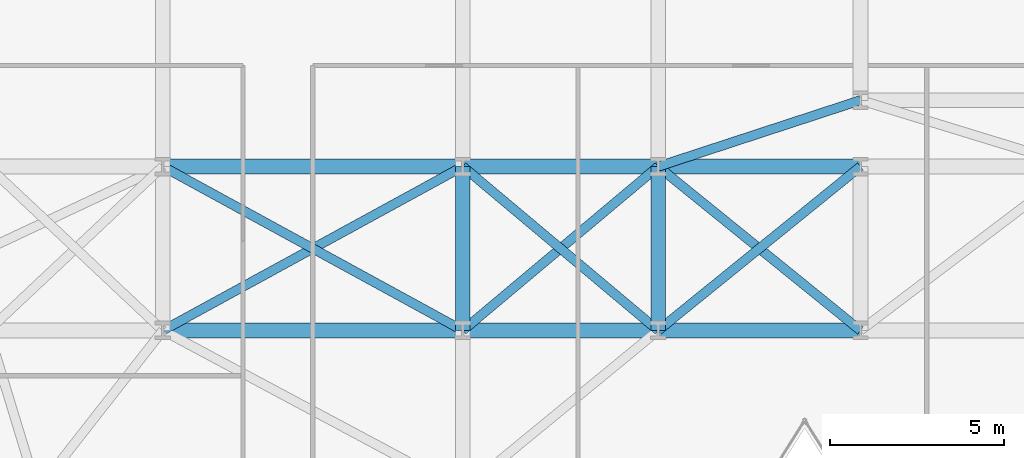
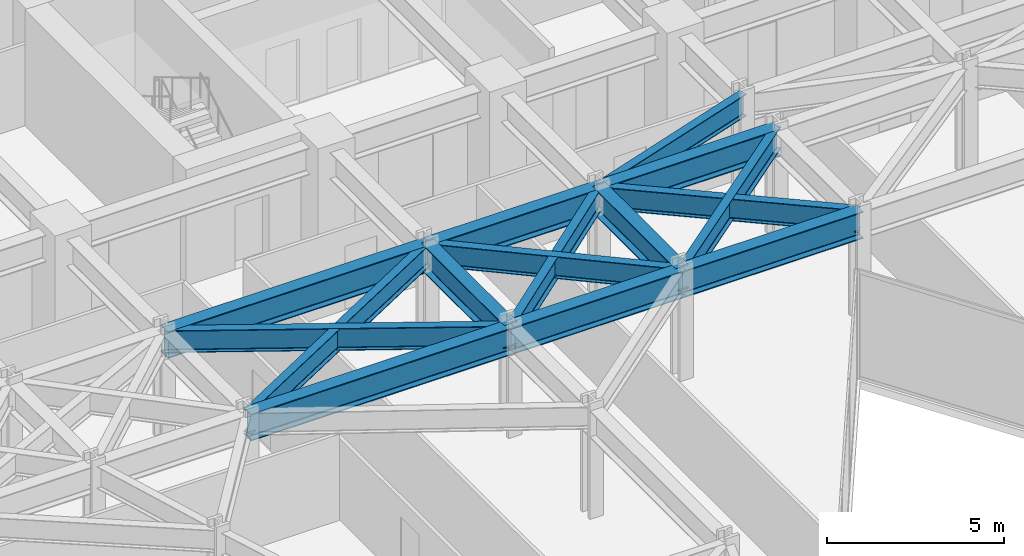
# One storey, part 11 of 24: 15 beams.
"""IFC4 building model written with IfcOpenShell, lengths in metres."""

from ifc_helpers import new_model, si_unit, direction, frame, origin, origin_2d, place, context, subcontext, project, spatial, i_section, extrude, material, material_profile, profile_set, type_object, element, save


model = new_model("IFC4")

# Units and contexts
model_context = context("Model", 3, precision=1e-05, world=origin(), true_north=direction((0.0, 1.0)))
body_context = subcontext(model_context, "Body", "Model", "MODEL_VIEW")
ifc_project = project(units=[si_unit("LENGTHUNIT", "METRE"), si_unit("AREAUNIT", "SQUARE_METRE"), si_unit("VOLUMEUNIT", "CUBIC_METRE"), si_unit("PLANEANGLEUNIT", "RADIAN"), si_unit("MASSUNIT", "GRAM", prefix="KILO")], contexts=[model_context])

# Site, building, storey
site_placement = place(None, origin())
site = spatial("IfcSite", under=ifc_project, at=site_placement, CompositionType="ELEMENT")
building_placement = place(site_placement, origin())
building = spatial("IfcBuilding", under=site, at=building_placement, Name="Kravanh Interchange Tower", CompositionType="ELEMENT")
storey_placement = place(building_placement, frame((0.0, 0.0, 53.5)))
storey = spatial("IfcBuildingStorey", under=building, at=storey_placement, Name="L12", CompositionType="ELEMENT", Elevation=53.5)

# Beams
ifc_material_1 = material(Name="Structural Steel S355", Category="steel")
ifc_material_profile_1 = material_profile(ifc_material_1, i_section(OverallWidth=0.41796875, OverallDepth=0.927001953125, WebThickness=0.019287109375, FlangeThickness=0.031982421875, FilletRadius=0.028076171875, at=origin_2d()), Name="W36X231")
ifc_profile_set_1 = profile_set([ifc_material_profile_1], Name="Structural Steel S355")
beam_type_1 = type_object("IfcBeamType", Name="Floor Beam W36X231 Structural Steel S355", PredefinedType="BEAM", material=ifc_profile_set_1)
beam_1_placement = place(storey_placement, frame((18.60009765625, 26.800048828125, 3.276611328125), z_axis=(1.0, 0.0, 0.0), x_axis=(0.0, 1.0, 0.0)))
element("IfcBeam", 1, at=beam_1_placement, inside=storey, type_object=beam_type_1, Name="L12 Primary Floor Girder 76", PredefinedType="BEAM", context=body_context, shape_type="SweptSolid", body=[
    extrude(i_section(OverallWidth=0.41796875, OverallDepth=0.927001953125, WebThickness=0.019287109375, FlangeThickness=0.031982421875, FilletRadius=0.028076171875, at=origin_2d()), origin(), (0.0, 0.0, 1.0), 8.599853515625),
])
beam_2_placement = place(storey_placement, frame((27.199951171875, 26.800048828125, 3.276611328125), z_axis=(0.0, 1.0, 0.0), x_axis=(-1.0, 0.0, 0.0)))
element("IfcBeam", 2, at=beam_2_placement, inside=storey, type_object=beam_type_1, Name="L12 Primary Floor Girder 78", PredefinedType="BEAM", context=body_context, shape_type="SweptSolid", body=[
    extrude(i_section(OverallWidth=0.41796875, OverallDepth=0.927001953125, WebThickness=0.019287109375, FlangeThickness=0.031982421875, FilletRadius=0.028076171875, at=origin_2d()), origin(), (0.0, 0.0, 1.0), 4.699951171875),
])
beam_3_placement = place(storey_placement, frame((27.199951171875, 26.800048828125, 3.276611328125), z_axis=(1.0, 0.0, 0.0), x_axis=(0.0, 1.0, 0.0)))
element("IfcBeam", 3, at=beam_3_placement, inside=storey, type_object=beam_type_1, Name="L12 Primary Floor Girder 79", PredefinedType="BEAM", context=body_context, shape_type="SweptSolid", body=[
    extrude(i_section(OverallWidth=0.41796875, OverallDepth=0.927001953125, WebThickness=0.019287109375, FlangeThickness=0.031982421875, FilletRadius=0.028076171875, at=origin_2d()), origin(), (0.0, 0.0, 1.0), 5.60009765625),
])
beam_4_placement = place(storey_placement, frame((32.800048828125, 26.800048828125, 3.276611328125), z_axis=(0.0, 1.0, 0.0), x_axis=(-1.0, 0.0, 0.0)))
element("IfcBeam", 4, at=beam_4_placement, inside=storey, type_object=beam_type_1, Name="L12 Primary Floor Girder 82", PredefinedType="BEAM", context=body_context, shape_type="SweptSolid", body=[
    extrude(i_section(OverallWidth=0.41796875, OverallDepth=0.927001953125, WebThickness=0.019287109375, FlangeThickness=0.031982421875, FilletRadius=0.028076171875, at=origin_2d()), origin(), (0.0, 0.0, 1.0), 4.699951171875),
])
beam_5_placement = place(storey_placement, frame((32.800048828125, 26.800048828125, 3.276611328125), z_axis=(1.0, 0.0, 0.0), x_axis=(0.0, 1.0, 0.0)))
element("IfcBeam", 5, at=beam_5_placement, inside=storey, type_object=beam_type_1, Name="L12 Primary Floor Girder 83", PredefinedType="BEAM", context=body_context, shape_type="SweptSolid", body=[
    extrude(i_section(OverallWidth=0.41796875, OverallDepth=0.927001953125, WebThickness=0.019287109375, FlangeThickness=0.031982421875, FilletRadius=0.028076171875, at=origin_2d()), origin(), (0.0, 0.0, 1.0), 5.800048828125),
])
beam_6_placement = place(storey_placement, frame((18.60009765625, 31.5, 3.276611328125), z_axis=(1.0, 0.0, 0.0), x_axis=(0.0, 1.0, 0.0)))
element("IfcBeam", 6, at=beam_6_placement, inside=storey, type_object=beam_type_1, Name="L12 Primary Floor Girder 106", PredefinedType="BEAM", context=body_context, shape_type="SweptSolid", body=[
    extrude(i_section(OverallWidth=0.41796875, OverallDepth=0.927001953125, WebThickness=0.019287109375, FlangeThickness=0.031982421875, FilletRadius=0.028076171875, at=origin_2d()), origin(), (0.0, 0.0, 1.0), 8.599853515625),
])
beam_7_placement = place(storey_placement, frame((27.199951171875, 31.5, 3.276611328125), z_axis=(1.0, 0.0, 0.0), x_axis=(0.0, 1.0, 0.0)))
element("IfcBeam", 7, at=beam_7_placement, inside=storey, type_object=beam_type_1, Name="L12 Primary Floor Girder 107", PredefinedType="BEAM", context=body_context, shape_type="SweptSolid", body=[
    extrude(i_section(OverallWidth=0.41796875, OverallDepth=0.927001953125, WebThickness=0.019287109375, FlangeThickness=0.031982421875, FilletRadius=0.028076171875, at=origin_2d()), origin(), (0.0, 0.0, 1.0), 5.60009765625),
])
beam_8_placement = place(storey_placement, frame((32.800048828125, 31.5, 3.276611328125), z_axis=(1.0, 0.0, 0.0), x_axis=(0.0, 1.0, 0.0)))
element("IfcBeam", 8, at=beam_8_placement, inside=storey, type_object=beam_type_1, Name="L12 Primary Floor Girder 109", PredefinedType="BEAM", context=body_context, shape_type="SweptSolid", body=[
    extrude(i_section(OverallWidth=0.41796875, OverallDepth=0.927001953125, WebThickness=0.019287109375, FlangeThickness=0.031982421875, FilletRadius=0.028076171875, at=origin_2d()), origin(), (0.0, 0.0, 1.0), 5.800048828125),
])
ifc_material_2 = material(Name="Structural Steel S355", Category="steel")
ifc_material_profile_2 = material_profile(ifc_material_2, i_section(OverallWidth=0.26708984375, OverallDepth=0.761962890625, WebThickness=0.014404296875, FlangeThickness=0.021484375, FilletRadius=0.02490234375, at=origin_2d()), Name="W30X116")
ifc_profile_set_2 = profile_set([ifc_material_profile_2], Name="Structural Steel S355")
beam_type_2 = type_object("IfcBeamType", Name="Floor Spandrel W30X116 Structural Steel S355", PredefinedType="SPANDREL", material=ifc_profile_set_2)
beam_9_placement = place(storey_placement, frame((18.60009765625, 26.800048828125, 3.35888671875), z_axis=(0.877503996342, 0.479569323877, 0.0), x_axis=(-0.479569323877, 0.877503996342, 0.0)))
element("IfcBeam", 9, at=beam_9_placement, inside=storey, type_object=beam_type_2, Name="L12 Perimeter Spandrel 77", PredefinedType="SPANDREL", context=body_context, shape_type="SweptSolid", body=[
    extrude(i_section(OverallWidth=0.26708984375, OverallDepth=0.761962890625, WebThickness=0.014404296875, FlangeThickness=0.021484375, FilletRadius=0.02490234375, at=origin_2d()), origin(), (0.0, 0.0, 1.0), 9.80029296875),
])
beam_10_placement = place(storey_placement, frame((27.199951171875, 26.800048828125, 3.35888671875), z_axis=(0.765983062929, 0.642860752657, 0.0), x_axis=(-0.642860752657, 0.765983062929, 0.0)))
element("IfcBeam", 10, at=beam_10_placement, inside=storey, type_object=beam_type_2, Name="L12 Perimeter Spandrel 80", PredefinedType="SPANDREL", context=body_context, shape_type="SweptSolid", body=[
    extrude(i_section(OverallWidth=0.26708984375, OverallDepth=0.761962890625, WebThickness=0.014404296875, FlangeThickness=0.021484375, FilletRadius=0.02490234375, at=origin_2d()), origin(), (0.0, 0.0, 1.0), 7.31103515625),
])
beam_11_placement = place(storey_placement, frame((27.199951171875, 26.800048828125, 3.35888671875), z_axis=(-0.877503996342, 0.479569323877, 0.0), x_axis=(-0.479569323877, -0.877503996342, 0.0)))
element("IfcBeam", 11, at=beam_11_placement, inside=storey, type_object=beam_type_2, Name="L12 Perimeter Spandrel 81", PredefinedType="SPANDREL", context=body_context, shape_type="SweptSolid", body=[
    extrude(i_section(OverallWidth=0.26708984375, OverallDepth=0.761962890625, WebThickness=0.014404296875, FlangeThickness=0.021484375, FilletRadius=0.02490234375, at=origin_2d()), origin(), (0.0, 0.0, 1.0), 9.80029296875),
])
beam_12_placement = place(storey_placement, frame((32.800048828125, 26.800048828125, 3.35888671875), z_axis=(-0.765983062929, 0.642860752657, 0.0), x_axis=(-0.642860752657, -0.765983062929, 0.0)))
element("IfcBeam", 12, at=beam_12_placement, inside=storey, type_object=beam_type_2, Name="L12 Perimeter Spandrel 84", PredefinedType="SPANDREL", context=body_context, shape_type="SweptSolid", body=[
    extrude(i_section(OverallWidth=0.26708984375, OverallDepth=0.761962890625, WebThickness=0.014404296875, FlangeThickness=0.021484375, FilletRadius=0.02490234375, at=origin_2d()), origin(), (0.0, 0.0, 1.0), 7.31103515625),
])
for number, where, z_axis, x_axis, name in (
    (13, (32.800048828125, 26.800048828125, 3.35888671875), (0.776938619557, 0.629576350764, 0.0), (-0.629576350764, 0.776938619557, 0.0), "L12 Perimeter Spandrel 85"),
    (14, (38.60009765625, 26.800048828125, 3.35888671875), (-0.776938619557, 0.629576350764, 0.0), (-0.629576350764, -0.776938619557, 0.0), "L12 Perimeter Spandrel 87"),
):
    element("IfcBeam", number, at=place(storey_placement, frame(where, z_axis=z_axis, x_axis=x_axis)), inside=storey, type_object=beam_type_2, Name=name, PredefinedType="SPANDREL", context=body_context, shape_type="SweptSolid", body=[
        extrude(i_section(OverallWidth=0.26708984375, OverallDepth=0.761962890625, WebThickness=0.014404296875, FlangeThickness=0.021484375, FilletRadius=0.02490234375, at=origin_2d()), origin(), (0.0, 0.0, 1.0), 7.46533203125),
    ])
beam_13_placement = place(storey_placement, frame((32.800048828125, 31.5, 3.35888671875), z_axis=(0.950314536578, 0.31129131303, 0.0), x_axis=(-0.31129131303, 0.950314536578, 0.0)))
element("IfcBeam", 15, at=beam_13_placement, inside=storey, type_object=beam_type_2, Name="L12 Perimeter Spandrel 110", PredefinedType="SPANDREL", context=body_context, shape_type="SweptSolid", body=[
    extrude(i_section(OverallWidth=0.26708984375, OverallDepth=0.761962890625, WebThickness=0.014404296875, FlangeThickness=0.021484375, FilletRadius=0.02490234375, at=origin_2d()), origin(), (0.0, 0.0, 1.0), 6.103271484375),
])

save(model, "model.ifc")
